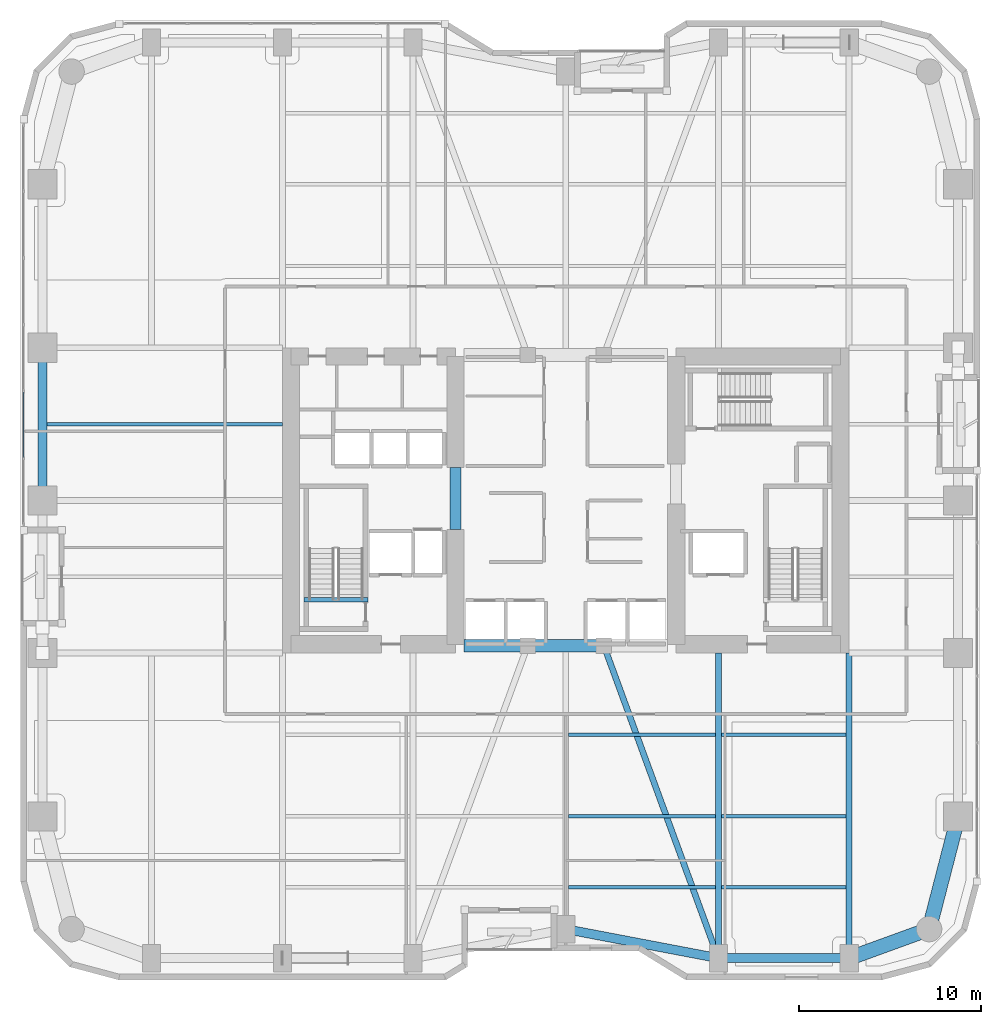
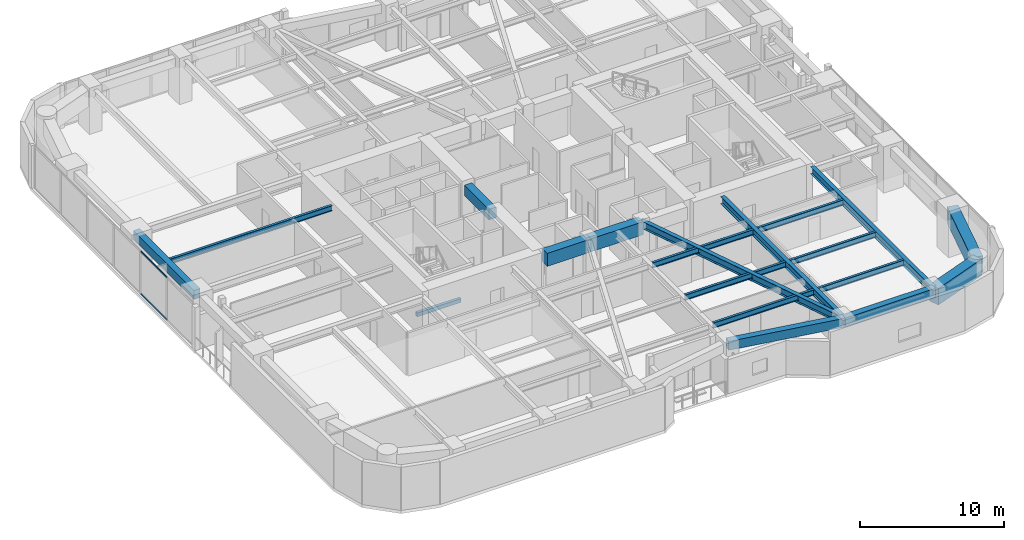
# One storey, part 3 of 24: 19 beams, 2 members, 1 element without a shape of its own.
"""IFC4 building model written with IfcOpenShell, lengths in metres."""

from ifc_helpers import new_model, si_unit, direction, frame, origin, origin_2d, place, context, subcontext, project, spatial, rectangle, hollow_rectangle, i_section, extrude, material, layer, layer_set, material_profile, profile_set, type_object, element, aggregate, save


model = new_model("IFC4")

# Units and contexts
model_context = context("Model", 3, precision=1e-05, world=origin(), true_north=direction((0.0, 1.0)))
body_context = subcontext(model_context, "Body", "Model", "MODEL_VIEW")
ifc_project = project(units=[si_unit("LENGTHUNIT", "METRE"), si_unit("AREAUNIT", "SQUARE_METRE"), si_unit("VOLUMEUNIT", "CUBIC_METRE"), si_unit("PLANEANGLEUNIT", "RADIAN"), si_unit("MASSUNIT", "GRAM", prefix="KILO")], contexts=[model_context])

# Site, building, storey
site_placement = place(None, origin())
site = spatial("IfcSite", under=ifc_project, at=site_placement, CompositionType="ELEMENT")
building_placement = place(site_placement, origin())
building = spatial("IfcBuilding", under=site, at=building_placement, Name="Kiyonajd Concourse Tower", CompositionType="ELEMENT")
storey_placement = place(building_placement, frame((0.0, 0.0, 89.699951171875)))
storey = spatial("IfcBuildingStorey", under=building, at=storey_placement, Name="L23", CompositionType="ELEMENT", Elevation=89.699951171875)

# Beams
ifc_material_1 = material(Name="Concrete C70/85", Category="concrete")
ifc_material_profile_1 = material_profile(ifc_material_1, rectangle(XDim=0.699951171875, YDim=1.10009765625, at=origin_2d()), Name="RCBM-700x1100")
ifc_profile_set_1 = profile_set([ifc_material_profile_1], Name="Concrete C70/85")
beam_type_1 = type_object("IfcBeamType", Name="BM-COUP-1100", PredefinedType="LINTEL", material=ifc_profile_set_1)
beam_1_placement = place(storey_placement, frame((42.39990234375, 28.0, 3.090087890625), z_axis=(1.0, 0.0, 0.0), x_axis=(0.0, 1.0, 0.0)))
element("IfcBeam", 1, at=beam_1_placement, inside=storey, type_object=beam_type_1, Name="L23 Core Coupling Beam S1", PredefinedType="LINTEL", context=body_context, shape_type="SweptSolid", body=[
    extrude(rectangle(XDim=0.699951171875, YDim=1.10009765625, at=origin_2d()), origin(), (0.0, 0.0, 1.0), 3.5),
])
beam_2_placement = place(storey_placement, frame((45.89990234375, 28.0, 3.090087890625), z_axis=(1.0, 0.0, 0.0), x_axis=(0.0, 1.0, 0.0)))
element("IfcBeam", 2, at=beam_2_placement, inside=storey, type_object=beam_type_1, Name="L23 Core Coupling Beam S2", PredefinedType="LINTEL", context=body_context, shape_type="SweptSolid", body=[
    extrude(rectangle(XDim=0.699951171875, YDim=1.10009765625, at=origin_2d()), origin(), (0.0, 0.0, 1.0), 4.2001953125),
])
ifc_material_2 = material(Name="Concrete C60/75", Category="concrete")
ifc_material_profile_2 = material_profile(ifc_material_2, rectangle(XDim=0.60009765625, YDim=0.89990234375, at=origin_2d()), Name="RCBM-600x900")
ifc_profile_set_2 = profile_set([ifc_material_profile_2], Name="Concrete C60/75")
beam_type_2 = type_object("IfcBeamType", Name="BM-COUP-900", PredefinedType="LINTEL", material=ifc_profile_set_2)
beam_3_placement = place(storey_placement, frame((41.925048828125, 34.39990234375, 3.090087890625), z_axis=(0.0, 1.0, 0.0), x_axis=(-1.0, 0.0, 0.0)))
element("IfcBeam", 3, at=beam_3_placement, inside=storey, type_object=beam_type_2, Name="L23 West Core Throat Coupling Lintel", PredefinedType="LINTEL", context=body_context, shape_type="SweptSolid", body=[
    extrude(rectangle(XDim=0.60009765625, YDim=0.89990234375, at=origin_2d()), origin(), (0.0, 0.0, 1.0), 3.400146484375),
])
ifc_material_3 = material(Name="Steel ASTM A992 Grade 50", Category="steel")
ifc_material_profile_3 = material_profile(ifc_material_3, i_section(OverallWidth=0.19189453125, OverallDepth=0.462890625, WebThickness=0.010498046875, FlangeThickness=0.017578125, at=origin_2d()), Name="W460X89")
ifc_profile_set_3 = profile_set([ifc_material_profile_3], Name="Steel ASTM A992 Grade 50")
beam_type_3 = type_object("IfcBeamType", Name="BM-JST-460B", PredefinedType="JOIST", material=ifc_profile_set_3)
beam_4_placement = place(storey_placement, frame((48.16357421875, 14.699951171875, 3.408447265625), z_axis=(1.0, 0.0, 0.0), x_axis=(0.0, 1.0, 0.0)))
element("IfcBeam", 4, at=beam_4_placement, inside=storey, type_object=beam_type_3, Name="L23 Secondary Floor Joist", PredefinedType="JOIST", context=body_context, shape_type="SweptSolid", body=[
    extrude(i_section(OverallWidth=0.19189453125, OverallDepth=0.462890625, WebThickness=0.010498046875, FlangeThickness=0.017578125, at=origin_2d()), origin(), (0.0, 0.0, 1.0), 8.072998046875),
])
beam_5_placement = place(storey_placement, frame((56.5634765625, 14.699951171875, 3.408447265625), z_axis=(1.0, 0.0, 0.0), x_axis=(0.0, 1.0, 0.0)))
element("IfcBeam", 5, at=beam_5_placement, inside=storey, type_object=beam_type_3, Name="L23 Secondary Floor Joist", PredefinedType="JOIST", context=body_context, shape_type="SweptSolid", body=[
    extrude(i_section(OverallWidth=0.19189453125, OverallDepth=0.462890625, WebThickness=0.010498046875, FlangeThickness=0.017578125, at=origin_2d()), origin(), (0.0, 0.0, 1.0), 6.873046875),
])
beam_6_placement = place(storey_placement, frame((48.16357421875, 18.60009765625, 3.408447265625), z_axis=(1.0, 0.0, 0.0), x_axis=(0.0, 1.0, 0.0)))
element("IfcBeam", 6, at=beam_6_placement, inside=storey, type_object=beam_type_3, Name="L23 Secondary Floor Joist", PredefinedType="JOIST", context=body_context, shape_type="SweptSolid", body=[
    extrude(i_section(OverallWidth=0.19189453125, OverallDepth=0.462890625, WebThickness=0.010498046875, FlangeThickness=0.017578125, at=origin_2d()), origin(), (0.0, 0.0, 1.0), 8.072998046875),
])
beam_7_placement = place(storey_placement, frame((56.5634765625, 18.60009765625, 3.408447265625), z_axis=(1.0, 0.0, 0.0), x_axis=(0.0, 1.0, 0.0)))
element("IfcBeam", 7, at=beam_7_placement, inside=storey, type_object=beam_type_3, Name="L23 Secondary Floor Joist", PredefinedType="JOIST", context=body_context, shape_type="SweptSolid", body=[
    extrude(i_section(OverallWidth=0.19189453125, OverallDepth=0.462890625, WebThickness=0.010498046875, FlangeThickness=0.017578125, at=origin_2d()), origin(), (0.0, 0.0, 1.0), 6.873046875),
])
beam_8_placement = place(storey_placement, frame((48.16357421875, 23.10009765625, 3.408447265625), z_axis=(1.0, 0.0, 0.0), x_axis=(0.0, 1.0, 0.0)))
element("IfcBeam", 8, at=beam_8_placement, inside=storey, type_object=beam_type_3, Name="L23 Secondary Floor Joist", PredefinedType="JOIST", context=body_context, shape_type="SweptSolid", body=[
    extrude(i_section(OverallWidth=0.19189453125, OverallDepth=0.462890625, WebThickness=0.010498046875, FlangeThickness=0.017578125, at=origin_2d()), origin(), (0.0, 0.0, 1.0), 8.072998046875),
])
beam_9_placement = place(storey_placement, frame((56.5634765625, 23.10009765625, 3.408447265625), z_axis=(1.0, 0.0, 0.0), x_axis=(0.0, 1.0, 0.0)))
element("IfcBeam", 9, at=beam_9_placement, inside=storey, type_object=beam_type_3, Name="L23 Secondary Floor Joist", PredefinedType="JOIST", context=body_context, shape_type="SweptSolid", body=[
    extrude(i_section(OverallWidth=0.19189453125, OverallDepth=0.462890625, WebThickness=0.010498046875, FlangeThickness=0.017578125, at=origin_2d()), origin(), (0.0, 0.0, 1.0), 6.873046875),
])
beam_10_placement = place(storey_placement, frame((19.449951171875, 40.199951171875, 3.408447265625), z_axis=(1.0, 0.0, 0.0), x_axis=(0.0, 1.0, 0.0)))
element("IfcBeam", 10, at=beam_10_placement, inside=storey, type_object=beam_type_3, Name="L23 West Secondary Floor Joist", PredefinedType="JOIST", context=body_context, shape_type="SweptSolid", body=[
    extrude(i_section(OverallWidth=0.19189453125, OverallDepth=0.462890625, WebThickness=0.010498046875, FlangeThickness=0.017578125, at=origin_2d()), origin(), (0.0, 0.0, 1.0), 12.949951171875),
])
ifc_material_4 = material(Name="Concrete C50/60", Category="concrete")
ifc_material_profile_4 = material_profile(ifc_material_4, rectangle(XDim=0.239990234375, YDim=0.320068359375, at=origin_2d()), Name="RCBM-240x320")
ifc_profile_set_4 = profile_set([ifc_material_profile_4], Name="Concrete C50/60")
beam_type_4 = type_object("IfcBeamType", Name="BM-LNT-250", PredefinedType="LINTEL", material=ifc_profile_set_4)
beam_11_placement = place(storey_placement, frame((33.590087890625, 30.530029296875, -0.159912109375), z_axis=(1.0, 0.0, 0.0), x_axis=(0.0, 1.0, 0.0)))
element("IfcBeam", 11, at=beam_11_placement, inside=storey, type_object=beam_type_4, Name="L23 Stair ST1 Threshold Support Beam", PredefinedType="LINTEL", context=body_context, shape_type="SweptSolid", body=[
    extrude(rectangle(XDim=0.239990234375, YDim=0.320068359375, at=origin_2d()), origin(), (0.0, 0.0, 1.0), 3.52001953125),
])
ifc_material_5 = material(Name="Precast concrete C50/60", Category="concrete")
ifc_material_profile_5 = material_profile(ifc_material_5, rectangle(XDim=0.5, YDim=0.75, at=origin_2d()), Name="RCBM-500x750")
ifc_profile_set_5 = profile_set([ifc_material_profile_5], Name="Precast concrete C50/60")
beam_type_5 = type_object("IfcBeamType", Name="BM-SPAN-RC", PredefinedType="SPANDREL", material=ifc_profile_set_5)
beam_12_placement = place(storey_placement, frame((48.0, 12.39990234375, 3.26513671875), z_axis=(0.982341315253, -0.187097675953, 0.0), x_axis=(0.187097675953, 0.982341315253, 0.0)))
element("IfcBeam", 12, at=beam_12_placement, inside=storey, type_object=beam_type_5, Name="L23 Perimeter Bundled Tube Spandrel", PredefinedType="SPANDREL", context=body_context, shape_type="SweptSolid", body=[
    extrude(rectangle(XDim=0.5, YDim=0.75, at=origin_2d()), origin(), (0.0, 0.0, 1.0), 8.55078125),
])
beam_13_placement = place(storey_placement, frame((56.39990234375, 10.800048828125, 3.26513671875), z_axis=(1.0, 0.0, 0.0), x_axis=(0.0, 1.0, 0.0)))
element("IfcBeam", 13, at=beam_13_placement, inside=storey, type_object=beam_type_5, Name="L23 Perimeter Bundled Tube Spandrel", PredefinedType="SPANDREL", context=body_context, shape_type="SweptSolid", body=[
    extrude(rectangle(XDim=0.5, YDim=0.75, at=origin_2d()), origin(), (0.0, 0.0, 1.0), 7.2001953125),
])
beam_14_placement = place(storey_placement, frame((19.199951171875, 44.39990234375, 3.26513671875), z_axis=(0.0, -1.0, 0.0), x_axis=(1.0, 0.0, 0.0)))
element("IfcBeam", 14, at=beam_14_placement, inside=storey, type_object=beam_type_5, Name="L23 Perimeter Bundled Tube Spandrel", PredefinedType="SPANDREL", context=body_context, shape_type="SweptSolid", body=[
    extrude(rectangle(XDim=0.5, YDim=0.75, at=origin_2d()), origin(), (0.0, 0.0, 1.0), 8.39990234375),
])
ifc_material_profile_6 = material_profile(ifc_material_3, i_section(OverallWidth=0.326904296875, OverallDepth=0.6220703125, WebThickness=0.015380859375, FlangeThickness=0.0244140625, at=origin_2d()), Name="W610X195")
ifc_profile_set_6 = profile_set([ifc_material_profile_6], Name="Steel ASTM A992 Grade 50")
beam_type_6 = type_object("IfcBeamType", Name="BM-TWR-610A", PredefinedType="BEAM", material=ifc_profile_set_6)
beam_15_placement = place(storey_placement, frame((50.10009765625, 28.0, 3.3291015625), z_axis=(0.343925269715, -0.938997022813, 0.0), x_axis=(0.938997022813, 0.343925269715, 0.0)))
element("IfcBeam", 15, at=beam_15_placement, inside=storey, type_object=beam_type_6, Name="L23 Core Tie Girder", PredefinedType="BEAM", context=body_context, shape_type="SweptSolid", body=[
    extrude(i_section(OverallWidth=0.326904296875, OverallDepth=0.6220703125, WebThickness=0.015380859375, FlangeThickness=0.0244140625, at=origin_2d()), origin(), (0.0, 0.0, 1.0), 18.3173828125),
])
for number, where, z_axis, x_axis, name in (
    (16, (56.39990234375, 10.800048828125, 3.3291015625), (0.0, 1.0, 0.0), (-1.0, 0.0, 0.0), "L23 South Lease Girder"),
    (17, (63.60009765625, 10.800048828125, 3.3291015625), (0.0, 1.0, 0.0), (-1.0, 0.0, 0.0), "L23 South Lease Girder"),
):
    element("IfcBeam", number, at=place(storey_placement, frame(where, z_axis=z_axis, x_axis=x_axis)), inside=storey, type_object=beam_type_6, Name=name, PredefinedType="BEAM", context=body_context, shape_type="SweptSolid", body=[
        extrude(i_section(OverallWidth=0.326904296875, OverallDepth=0.6220703125, WebThickness=0.015380859375, FlangeThickness=0.0244140625, at=origin_2d()), origin(), (0.0, 0.0, 1.0), 16.800048828125),
    ])
ifc_material_profile_7 = material_profile(ifc_material_2, rectangle(XDim=0.800048828125, YDim=1.39990234375, at=origin_2d()), Name="RCBM-800x1400")
ifc_profile_set_7 = profile_set([ifc_material_profile_7], Name="Concrete C60/75")
beam_type_7 = type_object("IfcBeamType", Name="BM-XFER-RC", PredefinedType="BEAM", material=ifc_profile_set_7)
beam_16_placement = place(storey_placement, frame((63.60009765625, 10.800048828125, 2.93994140625), z_axis=(0.939801036019, 0.341722127901, 0.0), x_axis=(-0.341722127901, 0.939801036019, 0.0)))
element("IfcBeam", 18, at=beam_16_placement, inside=storey, type_object=beam_type_7, Name="L23 Perimeter Bundled Tube Spandrel", PredefinedType="BEAM", context=body_context, shape_type="SweptSolid", body=[
    extrude(rectangle(XDim=0.800048828125, YDim=1.39990234375, at=origin_2d()), origin(), (0.0, 0.0, 1.0), 4.681640625),
])
beam_17_placement = place(storey_placement, frame((68.0, 12.39990234375, 2.93994140625), z_axis=(0.249884937687, 0.968275538221, 0.0), x_axis=(-0.968275538221, 0.249884937687, 0.0)))
element("IfcBeam", 19, at=beam_17_placement, inside=storey, type_object=beam_type_7, Name="L23 Perimeter Bundled Tube Spandrel", PredefinedType="BEAM", context=body_context, shape_type="SweptSolid", body=[
    extrude(rectangle(XDim=0.800048828125, YDim=1.39990234375, at=origin_2d()), origin(), (0.0, 0.0, 1.0), 6.4033203125),
])

# Curtain wall, members
ifc_material_6 = material(Name="Thermally Broken Anodised Aluminium", Category="aluminium")
ifc_layer = layer(ifc_material_6, 0.179931640625)
ifc_layer_set = layer_set([ifc_layer], Name="Thermally Broken Anodised Aluminium")
curtain_wall_type = type_object("IfcCurtainWallType", Name="CW-SYS-03", PredefinedType="NOTDEFINED", material=ifc_layer_set)
curtain_wall_placement = place(storey_placement, origin())
curtain_wall = element("IfcCurtainWall", 20, at=curtain_wall_placement, inside=storey, type_object=curtain_wall_type, Name="L23 Unitised Curtain Wall CW3", PredefinedType="NOTDEFINED")
ifc_material_profile_8 = material_profile(ifc_material_6, hollow_rectangle(XDim=0.06494140625, YDim=0.139892578125, WallThickness=0.00390625, at=origin_2d()), Name="TRAN-65x140")
ifc_profile_set_8 = profile_set([ifc_material_profile_8], Name="Thermally Broken Anodised Aluminium")
member_type = type_object("IfcMemberType", Name="MB-CW-TRAN1", PredefinedType="USERDEFINED", material=ifc_profile_set_8)
member_1_placement = place(storey_placement, frame((18.159912109375, 38.355712890625, 0.032470703125), z_axis=(0.0, 1.0, 0.0), x_axis=(-1.0, 0.0, 0.0)))
member_1 = element("IfcMember", 21, at=member_1_placement, type_object=member_type, Name="CW3 transom 2.1", ObjectType="TRANSOM", PredefinedType="USERDEFINED", context=body_context, shape_type="SweptSolid", body=[
    extrude(hollow_rectangle(XDim=0.06494140625, YDim=0.139892578125, WallThickness=0.00390625, at=origin_2d()), origin(), (0.0, 0.0, 1.0), 3.608154296875),
])
member_2_placement = place(storey_placement, frame((18.159912109375, 38.355712890625, 3.607666015625), z_axis=(0.0, 1.0, 0.0), x_axis=(-1.0, 0.0, 0.0)))
member_2 = element("IfcMember", 22, at=member_2_placement, type_object=member_type, Name="CW3 transom 2.2", ObjectType="TRANSOM", PredefinedType="USERDEFINED", context=body_context, shape_type="SweptSolid", body=[
    extrude(hollow_rectangle(XDim=0.06494140625, YDim=0.139892578125, WallThickness=0.00390625, at=origin_2d()), origin(), (0.0, 0.0, 1.0), 3.608154296875),
])
aggregate(curtain_wall, [member_1, member_2])

save(model, "model.ifc")
